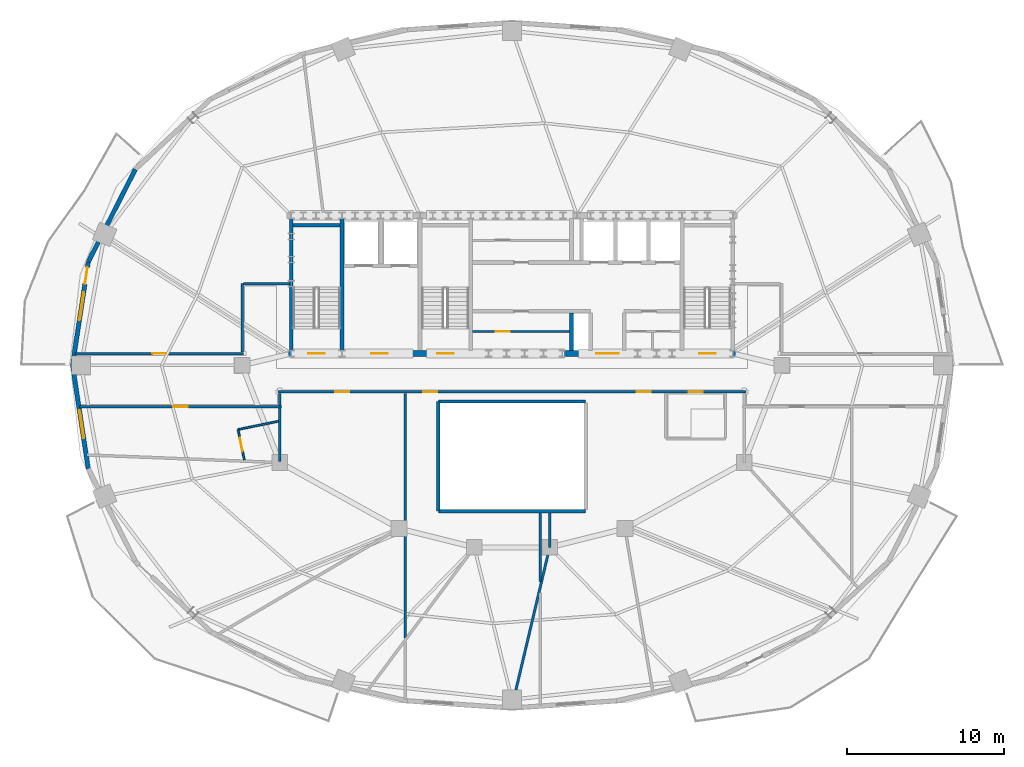
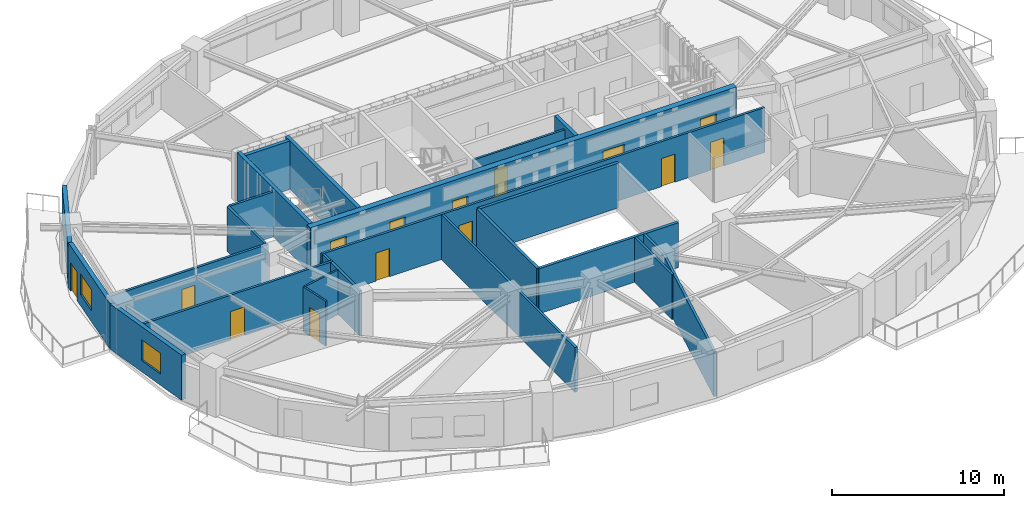
# One storey, part 4 of 11: 25 walls, 14 doors, 2 windows, 16 openings.
"""IFC4 building model written with IfcOpenShell, lengths in metres."""

import ifcopenshell
import ifcopenshell.guid

model = None  # the IFC model being written
_history = None  # IfcOwnerHistory: only IFC2X3 demands one
_inside = {}  # id of a spatial element -> (the spatial element, [elements in it])
_under = {}  # id of a project, library or spatial element -> (it, [spatial elements below it])
_declared = {}  # id of a project -> (the project, [libraries it declares])
_typed = {}  # id of a type object -> (the type object, [elements of that type])
_made_of = {}  # id of a material, layer set ... -> (it, [elements and type objects made of it])


def new_model(schema):
    """Start an empty IFC model of exactly this schema.

    Asked for "IFC4X3", IfcOpenShell would pick the latest addendum, in which some entities
    have other attributes; the version numbers below select the first issue.
    IFC2X3 requires an IfcOwnerHistory on every rooted entity: one is made here for all.
    """
    global model, _history
    if schema == "IFC4X3":
        model = ifcopenshell.file(schema_version=(4, 3, 0, 0))
    else:
        model = ifcopenshell.file(schema=schema)
    _inside.clear()
    _under.clear()
    _declared.clear()
    _typed.clear()
    _made_of.clear()
    _history = None
    if model.schema == "IFC2X3":
        org = make("IfcOrganization", Name="unknown")
        user = make(
            "IfcPersonAndOrganization",
            ThePerson=make("IfcPerson", FamilyName="unknown"),
            TheOrganization=org,
        )
        app = make(
            "IfcApplication",
            ApplicationDeveloper=org,
            Version="unknown",
            ApplicationFullName="unknown",
            ApplicationIdentifier="unknown",
        )
        _history = make(
            "IfcOwnerHistory",
            OwningUser=user,
            OwningApplication=app,
            ChangeAction="ADDED",
            CreationDate=0,
        )
    return model


def make(cls, **values):
    """One entity of the class cls with the attributes given. An attribute that is None is left unset."""
    return model.create_entity(
        cls, **{name: value for name, value in values.items() if value is not None}
    )


def rooted(cls, **values):
    """An entity with a GlobalId (a new one), such as an element, a storey or a relation."""
    return make(cls, GlobalId=ifcopenshell.guid.new(), OwnerHistory=_history, **values)


def si_unit(unit_type, name, prefix=None):
    """IfcSIUnit, for example si_unit("LENGTHUNIT", "METRE", prefix="MILLI")."""
    return make("IfcSIUnit", UnitType=unit_type, Prefix=prefix, Name=name)


def assignment(units):
    """IfcUnitAssignment: the units of a project."""
    return None if units is None else make("IfcUnitAssignment", Units=units)


def point(xyz):
    """IfcCartesianPoint."""
    return None if xyz is None else make("IfcCartesianPoint", Coordinates=xyz)


def direction(xyz):
    """IfcDirection."""
    return None if xyz is None else make("IfcDirection", DirectionRatios=xyz)


def frame(location, z_axis=None, x_axis=None):
    """IfcAxis2Placement3D, a coordinate frame: its origin and axes. An axis left out is left unset."""
    return make(
        "IfcAxis2Placement3D",
        Location=point(location),
        Axis=direction(z_axis),
        RefDirection=direction(x_axis),
    )


def frame_2d(location, x_axis=None):
    """IfcAxis2Placement2D, a coordinate frame in the plane: its origin and x axis."""
    return make(
        "IfcAxis2Placement2D", Location=point(location), RefDirection=direction(x_axis)
    )


def origin():
    """The frame at (0, 0, 0) with its axes left unset."""
    return frame((0.0, 0.0, 0.0))


def place(relative_to, where):
    """IfcLocalPlacement: puts the frame where relative to a parent placement (None: the world)."""
    return make(
        "IfcLocalPlacement", PlacementRelTo=relative_to, RelativePlacement=where
    )


def context(
    kind, dimensions, precision=None, world=None, true_north=None, identifier=None
):
    """IfcGeometricRepresentationContext, for example the 3D "Model" context."""
    return make(
        "IfcGeometricRepresentationContext",
        ContextIdentifier=identifier,
        ContextType=kind,
        CoordinateSpaceDimension=dimensions,
        Precision=precision,
        WorldCoordinateSystem=world,
        TrueNorth=true_north,
    )


def subcontext(parent, identifier, kind, view, scale=None):
    """IfcGeometricRepresentationSubContext, for example "Body" below "Model"."""
    return make(
        "IfcGeometricRepresentationSubContext",
        ContextIdentifier=identifier,
        ContextType=kind,
        ParentContext=parent,
        TargetScale=scale,
        TargetView=view,
    )


def project(units=None, contexts=None):
    """IfcProject with its units and contexts."""
    return rooted(
        "IfcProject",
        Name="project",
        RepresentationContexts=contexts,
        UnitsInContext=assignment(units),
    )


def spatial(cls, under=None, at=None, **own):
    """A site, building, storey or space (cls), placed at a placement, below another one or the project."""
    s = rooted(cls, ObjectPlacement=at, **own)
    if under is not None:
        _under.setdefault(under.id(), (under, []))[1].append(s)
    return s


def profile(cls, at=None, kind="AREA", **sizes):
    """A parametric profile (cls). Its sizes go by their IFC names, for example OverallWidth=200.0."""
    return make(cls, ProfileType=kind, Position=at, **sizes)


def rectangle(**sizes):
    """IfcRectangleProfileDef."""
    return profile("IfcRectangleProfileDef", **sizes)


def extrude(swept, where, along, depth):
    """IfcExtrudedAreaSolid: the profile swept, set in the frame where, extruded along a direction by depth."""
    return make(
        "IfcExtrudedAreaSolid",
        SweptArea=swept,
        Position=where,
        ExtrudedDirection=direction(along),
        Depth=depth,
    )


def shape(context_of_items, identifier, shape_type, items):
    """IfcShapeRepresentation: the items that make up one representation, for example the "Body"."""
    return make(
        "IfcShapeRepresentation",
        ContextOfItems=context_of_items,
        RepresentationIdentifier=identifier,
        RepresentationType=shape_type,
        Items=items,
    )


def material(Name=None, Category=None):
    """IfcMaterial."""
    return make("IfcMaterial", Name=Name, Category=Category)


def layer(
    of_material, thickness, ventilated=None, Name=None, Category=None, Priority=None
):
    """IfcMaterialLayer: one layer of a wall or slab, of a material (None: an air gap)."""
    return make(
        "IfcMaterialLayer",
        Material=of_material,
        LayerThickness=thickness,
        IsVentilated=ventilated,
        Name=Name,
        Category=Category,
        Priority=Priority,
    )


def layer_set(layers, Name=None):
    """IfcMaterialLayerSet."""
    return make("IfcMaterialLayerSet", MaterialLayers=layers, LayerSetName=Name)


def made_of(thing, what):
    """Note that an element or type object is made of a material, layer set ...; save() writes the relation."""
    if what is not None:
        _made_of.setdefault(what.id(), (what, []))[1].append(thing)
    return thing


def type_object(cls, material=None, **own):
    """A type object (cls), such as IfcWallType, which elements share."""
    return made_of(rooted(cls, **own), material)


def element(
    cls,
    number,
    at=None,
    inside=None,
    cuts=None,
    type_object=None,
    material=None,
    context=None,
    identifier="Body",
    shape_type=None,
    held_by="IfcProductDefinitionShape",
    body=None,
    shapes=None,
    **own,
):
    """One element of the class cls, such as IfcWall. Its Tag is "e" and its number.

    at: its placement. inside: the storey or other place that contains it. cuts: it is an
    opening in that element (IfcRelVoidsElement). A single representation is given by context,
    identifier, shape_type and body (its items); several are given by shapes. held_by: the class
    of the entity that holds the representations. save() writes the other relations.
    """
    e = rooted(cls, Tag="e%d" % number, ObjectPlacement=at, **own)
    if body is not None:
        shapes = [shape(context, identifier, shape_type, body)]
    if shapes is not None:
        e.Representation = make(held_by, Representations=shapes)
    if inside is not None:
        _inside.setdefault(inside.id(), (inside, []))[1].append(e)
    if cuts is not None:
        rooted(
            "IfcRelVoidsElement", RelatingBuildingElement=cuts, RelatedOpeningElement=e
        )
    if type_object is not None:
        _typed.setdefault(type_object.id(), (type_object, []))[1].append(e)
    return made_of(e, material)


def fill(opening, filler):
    """IfcRelFillsElement: the door or window that sits in an opening."""
    return rooted(
        "IfcRelFillsElement",
        RelatingOpeningElement=opening,
        RelatedBuildingElement=filler,
    )


def aggregate(whole, parts):
    """IfcRelAggregates: a whole, such as a stair, and the parts it consists of."""
    return rooted("IfcRelAggregates", RelatingObject=whole, RelatedObjects=parts)


def save(model, path):
    """Write the relations noted so far, then the file.

    IfcRelAggregates (storeys below a building ...), IfcRelContainedInSpatialStructure (elements
    in a storey), IfcRelDefinesByType, IfcRelAssociatesMaterial and IfcRelDeclares: one each for
    every whole, place, type object, material and project.
    """
    for whole, parts in _under.values():
        aggregate(whole, parts)
    for where, things in _inside.values():
        rooted(
            "IfcRelContainedInSpatialStructure",
            RelatedElements=things,
            RelatingStructure=where,
        )
    for kind, things in _typed.values():
        rooted("IfcRelDefinesByType", RelatedObjects=things, RelatingType=kind)
    for what, things in _made_of.values():
        rooted("IfcRelAssociatesMaterial", RelatedObjects=things, RelatingMaterial=what)
    for by, libraries in _declared.values():
        rooted("IfcRelDeclares", RelatingContext=by, RelatedDefinitions=libraries)
    model.write(path)


model = new_model("IFC4")

# Units and contexts
model_context = context("Model", 3, precision=1e-05, world=origin(), true_north=direction((0.0, 1.0)))
body_context = subcontext(model_context, "Body", "Model", "MODEL_VIEW")
ifc_project = project(units=[si_unit("LENGTHUNIT", "METRE"), si_unit("AREAUNIT", "SQUARE_METRE"), si_unit("VOLUMEUNIT", "CUBIC_METRE"), si_unit("PLANEANGLEUNIT", "RADIAN"), si_unit("MASSUNIT", "GRAM", prefix="KILO")], contexts=[model_context])

# Site, building, storey
site_placement = place(None, origin())
site = spatial("IfcSite", under=ifc_project, at=site_placement, CompositionType="ELEMENT")
building_placement = place(site_placement, origin())
building = spatial("IfcBuilding", under=site, at=building_placement, Name="Haldorwick Loom Tower", CompositionType="ELEMENT")
storey_placement = place(building_placement, frame((0.0, 0.0, 211.75)))
storey = spatial("IfcBuildingStorey", under=building, at=storey_placement, Name="L57", CompositionType="ELEMENT", Elevation=211.75)

# Wall
ifc_material_1 = material(Name="Pressed Clay Face Brick and Insulated Masonry Backup Assembly", Category="masonry")
ifc_layer_1 = layer(ifc_material_1, 0.280029296875, Name="Pressed Clay Face Brick and Insulated Masonry Backup Assembly", Category="masonry")
ifc_layer_set_1 = layer_set([ifc_layer_1], Name="Pressed Clay Face Brick and Insulated Masonry Backup Assembly")
wall_type_1 = type_object("IfcWallType", Name="ARC-WL-EXT280", PredefinedType="STANDARD", material=ifc_layer_set_1)
wall_1_placement = place(storey_placement, frame((11.994384765625, 38.4853515625, 0.0), z_axis=(0.0, 0.0, 1.0), x_axis=(-0.453032066879, -0.89149422117, 0.0)))
element("IfcWall", 1, at=wall_1_placement, inside=storey, type_object=wall_type_1, Name="L57 Brick Pier and Spandrel Wall 11", PredefinedType="STANDARD", context=body_context, shape_type="SweptSolid", body=[
    extrude(rectangle(XDim=6.618896484375, YDim=0.280029296875, at=frame_2d((3.3095703125, 0.0))), origin(), (0.0, 0.0, 1.0), 2.64111328125),
])

# Wall, openings, door, window
wall_2_placement = place(storey_placement, frame((8.995849609375, 32.584716796875, 0.0), z_axis=(0.0, 0.0, 1.0), x_axis=(-0.150467697578, -0.988614926038, 0.0)))
wall_2 = element("IfcWall", 2, at=wall_2_placement, inside=storey, type_object=wall_type_1, Name="L57 Brick Pier and Spandrel Wall 12", PredefinedType="STANDARD", context=body_context, shape_type="SweptSolid", body=[
    extrude(rectangle(XDim=6.66064453125, YDim=0.280029296875, at=frame_2d((3.330322265625, 0.0))), origin(), (0.0, 0.0, 1.0), 3.2099609375),
])
opening_1_placement = place(wall_2_placement, frame((0.340087890625, 0.0, 0.0)))
opening_1 = element("IfcOpeningElement", 3, at=opening_1_placement, cuts=wall_2, Name="Opening D-BL11", PredefinedType="OPENING", context=body_context, shape_type="SweptSolid", body=[
    extrude(rectangle(XDim=1.080078125, YDim=2.0400390625, at=frame_2d((0.5400390625, 1.02001953125))), frame((0.0, 0.14990234375, 0.0), z_axis=(0.0, -1.0, 0.0), x_axis=(1.0, 0.0, 0.0)), (0.0, 0.0, 1.0), 0.300048828125),
])
opening_2_placement = place(wall_2_placement, frame((1.952392578125, 0.0, 0.800048828125)))
opening_2 = element("IfcOpeningElement", 4, at=opening_2_placement, cuts=wall_2, Name="Opening W-01", PredefinedType="OPENING", context=body_context, shape_type="SweptSolid", body=[
    extrude(rectangle(XDim=1.800048828125, YDim=1.47998046875, at=frame_2d((0.89990234375, 0.739990234375))), frame((0.0, 0.14990234375, 0.0), z_axis=(0.0, -1.0, 0.0), x_axis=(1.0, 0.0, 0.0)), (0.0, 0.0, 1.0), 0.300048828125),
])
ifc_material_2 = material(Name="Thermally Broken Anodized Aluminium Curtain Wall Framing", Category="aluminium")
door_type_1 = type_object("IfcDoorType", Name="ARC-DR-BAL110", OperationType="NOTDEFINED", PredefinedType="DOOR", material=ifc_material_2)
door_1_placement = place(opening_1_placement, origin())
door_1 = element("IfcDoor", 5, at=door_1_placement, inside=storey, type_object=door_type_1, Name="L57 Outdoor Terrace Door SLB-L57-BAL_WNW", OperationType="SINGLE_SWING_RIGHT", OverallHeight=2.0400390625, OverallWidth=1.080078125, PredefinedType="DOOR", context=body_context, shape_type="SweptSolid", body=[
    extrude(rectangle(XDim=1.080078125, YDim=2.0400390625, at=frame_2d((0.5400390625, 1.02001953125))), frame((0.0, 0.02490234375, 0.0), z_axis=(0.0, -1.0, 0.0), x_axis=(1.0, 0.0, 0.0)), (0.0, 0.0, 1.0), 0.050048828125),
])
fill(opening_1, door_1)
ifc_material_3 = material(Name="Triple-Glazed Low-E Argon Insulated Glazing Unit", Category="glass")
window_type = type_object("IfcWindowType", Name="ARC-WIN-W180", PartitioningType="SINGLE_PANEL", PredefinedType="WINDOW", material=ifc_material_3)
window_1_placement = place(opening_2_placement, origin())
window_1 = element("IfcWindow", 6, at=window_1_placement, inside=storey, type_object=window_type, Name="L57 Deep-Set Zone 7A Window 12", OverallHeight=1.47998046875, OverallWidth=1.800048828125, PartitioningType="SINGLE_PANEL", PredefinedType="WINDOW", context=body_context, shape_type="SweptSolid", body=[
    extrude(rectangle(XDim=1.800048828125, YDim=1.47998046875, at=frame_2d((0.89990234375, 0.739990234375))), frame((0.0, 0.030029296875, 0.0), z_axis=(0.0, -1.0, 0.0), x_axis=(1.0, 0.0, 0.0)), (0.0, 0.0, 1.0), 0.06005859375),
])
fill(opening_2, window_1)

# Wall, opening, window
wall_3_placement = place(storey_placement, frame((7.99365234375, 26.0, 0.0), z_axis=(0.0, 0.0, 1.0), x_axis=(0.150467697578, -0.988614926038, 0.0)))
wall_3 = element("IfcWall", 7, at=wall_3_placement, inside=storey, type_object=wall_type_1, Name="L57 Brick Pier and Spandrel Wall 13", PredefinedType="STANDARD", context=body_context, shape_type="SweptSolid", body=[
    extrude(rectangle(XDim=6.66064453125, YDim=0.280029296875, at=frame_2d((3.330322265625, 0.0))), origin(), (0.0, 0.0, 1.0), 3.2099609375),
])
opening_3_placement = place(wall_3_placement, frame((2.907958984375, 0.0, 0.800048828125)))
opening_3 = element("IfcOpeningElement", 8, at=opening_3_placement, cuts=wall_3, Name="Opening W-01", PredefinedType="OPENING", context=body_context, shape_type="SweptSolid", body=[
    extrude(rectangle(XDim=1.800048828125, YDim=1.47998046875, at=frame_2d((0.89990234375, 0.739990234375))), frame((0.0, 0.14990234375, 0.0), z_axis=(0.0, -1.0, 0.0), x_axis=(1.0, 0.0, 0.0)), (0.0, 0.0, 1.0), 0.300048828125),
])
window_2_placement = place(opening_3_placement, origin())
window_2 = element("IfcWindow", 9, at=window_2_placement, inside=storey, type_object=window_type, Name="L57 Deep-Set Zone 7A Window 13", OverallHeight=1.47998046875, OverallWidth=1.800048828125, PartitioningType="SINGLE_PANEL", PredefinedType="WINDOW", context=body_context, shape_type="SweptSolid", body=[
    extrude(rectangle(XDim=1.800048828125, YDim=1.47998046875, at=frame_2d((0.89990234375, 0.739990234375))), frame((0.0, 0.030029296875, 0.0), z_axis=(0.0, -1.0, 0.0), x_axis=(1.0, 0.0, 0.0)), (0.0, 0.0, 1.0), 0.06005859375),
])
fill(opening_3, window_2)

# Wall, openings, doors
ifc_material_4 = material(Name="Fire-Rated Type X Gypsum Stud Assembly EI 60")
ifc_layer_2 = layer(ifc_material_4, 0.159912109375, Name="Fire-Rated Type X Gypsum Stud Assembly EI 60")
ifc_layer_set_2 = layer_set([ifc_layer_2], Name="Fire-Rated Type X Gypsum Stud Assembly EI 60")
wall_type_2 = type_object("IfcWallType", Name="ARC-WL-FIRE160", PredefinedType="PARTITIONING", material=ifc_layer_set_2)
wall_4_placement = place(storey_placement, frame((21.10009765625, 24.300048828125, 0.0), z_axis=(0.0, 0.0, 1.0), x_axis=(1.0, 0.0, 0.0)))
wall_4 = element("IfcWall", 10, at=wall_4_placement, inside=storey, type_object=wall_type_2, Name="L57 Residential Fire Partition L57-CR-SP", PredefinedType="PARTITIONING", context=body_context, shape_type="SweptSolid", body=[
    extrude(rectangle(XDim=29.7998046875, YDim=0.159912109375, at=frame_2d((14.89990234375, 0.0))), origin(), (0.0, 0.0, 1.0), 3.195068359375),
])
opening_4_placement = place(wall_4_placement, frame((22.838134765625, 0.0, 0.0)))
opening_4 = element("IfcOpeningElement", 11, at=opening_4_placement, cuts=wall_4, Name="Opening D-FD60A", PredefinedType="OPENING", context=body_context, shape_type="SweptSolid", body=[
    extrude(rectangle(XDim=0.89990234375, YDim=2.0, at=frame_2d((0.449951171875, 1.0))), frame((0.0, 0.08984375, 0.0), z_axis=(0.0, -1.0, 0.0), x_axis=(1.0, 0.0, 0.0)), (0.0, 0.0, 1.0), 0.179931640625),
])
opening_5_placement = place(wall_4_placement, frame((9.22900390625, 0.0, 0.0)))
opening_5 = element("IfcOpeningElement", 12, at=opening_5_placement, cuts=wall_4, Name="Opening D-FD60A", PredefinedType="OPENING", context=body_context, shape_type="SweptSolid", body=[
    extrude(rectangle(XDim=0.89990234375, YDim=2.0, at=frame_2d((0.449951171875, 1.0))), frame((0.0, 0.08984375, 0.0), z_axis=(0.0, -1.0, 0.0), x_axis=(1.0, 0.0, 0.0)), (0.0, 0.0, 1.0), 0.179931640625),
])
opening_6_placement = place(wall_4_placement, frame((3.6337890625, 0.0, 0.0)))
opening_6 = element("IfcOpeningElement", 13, at=opening_6_placement, cuts=wall_4, Name="Opening D-FD60A", PredefinedType="OPENING", context=body_context, shape_type="SweptSolid", body=[
    extrude(rectangle(XDim=0.89990234375, YDim=2.0, at=frame_2d((0.449951171875, 1.0))), frame((0.0, 0.08984375, 0.0), z_axis=(0.0, -1.0, 0.0), x_axis=(1.0, 0.0, 0.0)), (0.0, 0.0, 1.0), 0.179931640625),
])
opening_7_placement = place(wall_4_placement, frame((26.1494140625, 0.0, 0.0)))
opening_7 = element("IfcOpeningElement", 14, at=opening_7_placement, cuts=wall_4, Name="Opening D-FD60A", PredefinedType="OPENING", context=body_context, shape_type="SweptSolid", body=[
    extrude(rectangle(XDim=0.89990234375, YDim=2.0, at=frame_2d((0.449951171875, 1.0))), frame((0.0, 0.08984375, 0.0), z_axis=(0.0, -1.0, 0.0), x_axis=(1.0, 0.0, 0.0)), (0.0, 0.0, 1.0), 0.179931640625),
])
ifc_material_5 = material(Name="Hollow Steel Fire Door Assembly", Category="steel")
door_type_2 = type_object("IfcDoorType", Name="ARC-DR-FD60-90", OperationType="NOTDEFINED", PredefinedType="DOOR", material=ifc_material_5)
door_2_placement = place(opening_4_placement, origin())
door_2 = element("IfcDoor", 15, at=door_2_placement, inside=storey, type_object=door_type_2, Name="L57 L57 Central Residential Corridor to Co-Working Open Office 2 Door", OperationType="SINGLE_SWING_LEFT", OverallHeight=2.0, OverallWidth=0.89990234375, PredefinedType="DOOR", context=body_context, shape_type="SweptSolid", body=[
    extrude(rectangle(XDim=0.89990234375, YDim=2.0, at=frame_2d((0.449951171875, 1.0))), frame((0.0, 0.02490234375, 0.0), z_axis=(0.0, -1.0, 0.0), x_axis=(1.0, 0.0, 0.0)), (0.0, 0.0, 1.0), 0.050048828125),
])
fill(opening_4, door_2)
door_3_placement = place(opening_5_placement, origin())
door_3 = element("IfcDoor", 16, at=door_3_placement, inside=storey, type_object=door_type_2, Name="L57 L57 Central Residential Corridor to Co-Working Open Office 1 Door", OperationType="SINGLE_SWING_LEFT", OverallHeight=2.0, OverallWidth=0.89990234375, PredefinedType="DOOR", context=body_context, shape_type="SweptSolid", body=[
    extrude(rectangle(XDim=0.89990234375, YDim=2.0, at=frame_2d((0.449951171875, 1.0))), frame((0.0, 0.02490234375, 0.0), z_axis=(0.0, -1.0, 0.0), x_axis=(1.0, 0.0, 0.0)), (0.0, 0.0, 1.0), 0.050048828125),
])
fill(opening_5, door_3)
door_4_placement = place(opening_6_placement, origin())
door_4 = element("IfcDoor", 17, at=door_4_placement, inside=storey, type_object=door_type_2, Name="L57 L57 Central Residential Corridor to Co-Working Open Office 3 Door", OperationType="SINGLE_SWING_RIGHT", OverallHeight=2.0, OverallWidth=0.89990234375, PredefinedType="DOOR", context=body_context, shape_type="SweptSolid", body=[
    extrude(rectangle(XDim=0.89990234375, YDim=2.0, at=frame_2d((0.449951171875, 1.0))), frame((0.0, 0.02490234375, 0.0), z_axis=(0.0, -1.0, 0.0), x_axis=(1.0, 0.0, 0.0)), (0.0, 0.0, 1.0), 0.050048828125),
])
fill(opening_6, door_4)
door_5_placement = place(opening_7_placement, origin())
door_5 = element("IfcDoor", 18, at=door_5_placement, inside=storey, type_object=door_type_2, Name="L57 L57 Central Residential Corridor to Common Accessible WC Door", OperationType="SINGLE_SWING_LEFT", OverallHeight=2.0, OverallWidth=0.89990234375, PredefinedType="DOOR", context=body_context, shape_type="SweptSolid", body=[
    extrude(rectangle(XDim=0.89990234375, YDim=2.0, at=frame_2d((0.449951171875, 1.0))), frame((0.0, 0.02490234375, 0.0), z_axis=(0.0, -1.0, 0.0), x_axis=(1.0, 0.0, 0.0)), (0.0, 0.0, 1.0), 0.050048828125),
])
fill(opening_7, door_5)

# Wall, opening, door
wall_5_placement = place(storey_placement, frame((8.4423828125, 23.35009765625, 0.0), z_axis=(0.0, 0.0, 1.0), x_axis=(1.0, 0.0, 0.0)))
wall_5 = element("IfcWall", 19, at=wall_5_placement, inside=storey, type_object=wall_type_2, Name="L57 Residential Fire Partition L57-CR-SPW", PredefinedType="PARTITIONING", context=body_context, shape_type="SweptSolid", body=[
    extrude(rectangle(XDim=12.857666015625, YDim=0.159912109375, at=frame_2d((6.4287109375, 0.0))), origin(), (0.0, 0.0, 1.0), 3.195068359375),
])
opening_8_placement = place(wall_5_placement, frame((5.95361328125, 0.0, 0.0)))
opening_8 = element("IfcOpeningElement", 20, at=opening_8_placement, cuts=wall_5, Name="Opening D-FL95", PredefinedType="OPENING", context=body_context, shape_type="SweptSolid", body=[
    extrude(rectangle(XDim=0.949951171875, YDim=2.0400390625, at=frame_2d((0.47509765625, 1.02001953125))), frame((0.0, 0.08984375, 0.0), z_axis=(0.0, -1.0, 0.0), x_axis=(1.0, 0.0, 0.0)), (0.0, 0.0, 1.0), 0.179931640625),
])
ifc_material_6 = material(Name="Solid Core Birch Architectural Door")
door_type_3 = type_object("IfcDoorType", Name="ARC-DR-FLAT95", OperationType="NOTDEFINED", PredefinedType="DOOR", material=ifc_material_6)
door_6_placement = place(opening_8_placement, origin())
door_6 = element("IfcDoor", 21, at=door_6_placement, inside=storey, type_object=door_type_3, Name="L57 L57 Central Residential Corridor to Unit 57B Kitchen and Studio Livi", OperationType="SINGLE_SWING_RIGHT", OverallHeight=2.0400390625, OverallWidth=0.949951171875, PredefinedType="DOOR", context=body_context, shape_type="SweptSolid", body=[
    extrude(rectangle(XDim=0.949951171875, YDim=2.0400390625, at=frame_2d((0.47509765625, 1.02001953125))), frame((0.0, 0.02490234375, 0.0), z_axis=(0.0, -1.0, 0.0), x_axis=(1.0, 0.0, 0.0)), (0.0, 0.0, 1.0), 0.050048828125),
])
fill(opening_8, door_6)

# Wall
wall_6_placement = place(storey_placement, frame((21.199951171875, 23.43310546875, 0.0), z_axis=(0.0, 0.0, 1.0), x_axis=(0.0, 1.0, 0.0)))
element("IfcWall", 22, at=wall_6_placement, inside=storey, type_object=wall_type_2, Name="L57 Residential Fire Partition L57-CR-STW", PredefinedType="PARTITIONING", context=body_context, shape_type="SweptSolid", body=[
    extrude(rectangle(XDim=0.783935546875, YDim=0.159912109375, at=frame_2d((0.39208984375, 0.0))), origin(), (0.0, 0.0, 1.0), 3.195068359375),
])

# Wall, opening, door
wall_7_placement = place(storey_placement, frame((8.1533203125, 26.75, 0.0), z_axis=(0.0, 0.0, 1.0), x_axis=(1.0, 0.0, 0.0)))
wall_7 = element("IfcWall", 23, at=wall_7_placement, inside=storey, type_object=wall_type_2, Name="L57 Residential Fire Partition L57-CR-NWL", PredefinedType="PARTITIONING", context=body_context, shape_type="SweptSolid", body=[
    extrude(rectangle(XDim=10.74658203125, YDim=0.159912109375, at=frame_2d((5.373291015625, 0.0))), origin(), (0.0, 0.0, 1.0), 3.195068359375),
])
opening_9_placement = place(wall_7_placement, frame((4.92333984375, 0.0, 0.0)))
opening_9 = element("IfcOpeningElement", 24, at=opening_9_placement, cuts=wall_7, Name="Opening D-FD60A", PredefinedType="OPENING", context=body_context, shape_type="SweptSolid", body=[
    extrude(rectangle(XDim=0.89990234375, YDim=2.0, at=frame_2d((0.449951171875, 1.0))), frame((0.0, 0.08984375, 0.0), z_axis=(0.0, -1.0, 0.0), x_axis=(1.0, 0.0, 0.0)), (0.0, 0.0, 1.0), 0.179931640625),
])
door_7_placement = place(opening_9_placement, frame((0.89990234375, 0.0, 0.0), z_axis=(0.0, 0.0, 1.0), x_axis=(-1.0, 0.0, 0.0)))
door_7 = element("IfcDoor", 25, at=door_7_placement, inside=storey, type_object=door_type_2, Name="L57 Co-Working Open Office 7 to L57 Central Residential Corridor Door", OperationType="SINGLE_SWING_LEFT", OverallHeight=2.0, OverallWidth=0.89990234375, PredefinedType="DOOR", context=body_context, shape_type="SweptSolid", body=[
    extrude(rectangle(XDim=0.89990234375, YDim=2.0, at=frame_2d((0.449951171875, 1.0))), frame((0.0, 0.02490234375, 0.0), z_axis=(0.0, -1.0, 0.0), x_axis=(1.0, 0.0, 0.0)), (0.0, 0.0, 1.0), 0.050048828125),
])
fill(opening_9, door_7)

# Walls
wall_8_placement = place(storey_placement, frame((18.800048828125, 26.8330078125, 0.0), z_axis=(0.0, 0.0, 1.0), x_axis=(0.0, 1.0, 0.0)))
element("IfcWall", 26, at=wall_8_placement, inside=storey, type_object=wall_type_2, Name="L57 Residential Fire Partition L57-CR-W0", PredefinedType="PARTITIONING", context=body_context, shape_type="SweptSolid", body=[
    extrude(rectangle(XDim=4.366943359375, YDim=0.159912109375, at=frame_2d((2.18359375, 0.0))), origin(), (0.0, 0.0, 1.0), 3.195068359375),
])
wall_9_placement = place(storey_placement, frame((18.883056640625, 31.199951171875, 0.0), z_axis=(0.0, 0.0, 1.0), x_axis=(1.0, 0.0, 0.0)))
element("IfcWall", 27, at=wall_9_placement, inside=storey, type_object=wall_type_2, Name="L57 Residential Fire Partition L57-CR-WNJ", PredefinedType="PARTITIONING", context=body_context, shape_type="SweptSolid", body=[
    extrude(rectangle(XDim=2.923828125, YDim=0.159912109375, at=frame_2d((1.4619140625, 0.0))), origin(), (0.0, 0.0, 1.0), 3.195068359375),
])
wall_10_placement = place(storey_placement, frame((38.39990234375, 14.39990234375, 0.0), z_axis=(0.0, 0.0, 1.0), x_axis=(-0.230222003239, -0.973138134709, 0.0)))
element("IfcWall", 28, at=wall_10_placement, inside=storey, type_object=wall_type_2, Name="L57 Residential Fire Partition L57-ICR-06", PredefinedType="PARTITIONING", context=body_context, shape_type="SweptSolid", body=[
    extrude(rectangle(XDim=10.48046875, YDim=0.159912109375, at=frame_2d((5.240234375, 0.0))), origin(), (0.0, 0.0, 1.0), 3.195068359375),
])
wall_11_placement = place(storey_placement, frame((29.199951171875, 8.633544921875, 0.0), z_axis=(0.0, 0.0, 1.0), x_axis=(0.0, 1.0, 0.0)))
element("IfcWall", 29, at=wall_11_placement, inside=storey, type_object=wall_type_2, Name="L57 Residential Fire Partition L57-SBP-0", PredefinedType="PARTITIONING", context=body_context, shape_type="SweptSolid", body=[
    extrude(rectangle(XDim=15.58349609375, YDim=0.159912109375, at=frame_2d((7.791748046875, 0.0))), origin(), (0.0, 0.0, 1.0), 3.195068359375),
])
wall_12_placement = place(storey_placement, frame((37.800048828125, 12.224365234375, 0.0), z_axis=(0.0, 0.0, 1.0), x_axis=(0.0, 1.0, 0.0)))
element("IfcWall", 30, at=wall_12_placement, inside=storey, type_object=wall_type_2, Name="L57 Residential Fire Partition L57-SBP-1", PredefinedType="PARTITIONING", context=body_context, shape_type="SweptSolid", body=[
    extrude(rectangle(XDim=4.37255859375, YDim=0.159912109375, at=frame_2d((2.186279296875, 0.0))), origin(), (0.0, 0.0, 1.0), 3.195068359375),
])
wall_13_placement = place(storey_placement, frame((38.39990234375, 16.596923828125, 0.0), z_axis=(0.0, 0.0, 1.0), x_axis=(0.0, -1.0, 0.0)))
element("IfcWall", 31, at=wall_13_placement, inside=storey, type_object=wall_type_2, Name="L57 Residential Fire Partition L57-ICA-05", PredefinedType="PARTITIONING", context=body_context, shape_type="SweptSolid", body=[
    extrude(rectangle(XDim=2.197021484375, YDim=0.159912109375, at=frame_2d((1.0986328125, 0.0))), origin(), (0.0, 0.0, 1.0), 3.195068359375),
])
wall_14_placement = place(storey_placement, frame((21.199951171875, 23.26708984375, 0.0), z_axis=(0.0, 0.0, 1.0), x_axis=(0.0, -1.0, 0.0)))
element("IfcWall", 32, at=wall_14_placement, inside=storey, type_object=wall_type_2, Name="L57 Residential Fire Partition L57-ICA-11", PredefinedType="PARTITIONING", context=body_context, shape_type="SweptSolid", body=[
    extrude(rectangle(XDim=3.384033203125, YDim=0.159912109375, at=frame_2d((1.69189453125, 0.0))), origin(), (0.0, 0.0, 1.0), 3.195068359375),
])
ifc_material_7 = material(Name="Fire-Rated Type X Gypsum Stud Assembly EI 120")
ifc_layer_3 = layer(ifc_material_7, 0.199951171875, Name="Fire-Rated Type X Gypsum Stud Assembly EI 120")
ifc_layer_set_3 = layer_set([ifc_layer_3], Name="Fire-Rated Type X Gypsum Stud Assembly EI 120")
wall_type_3 = type_object("IfcWallType", Name="ARC-WL-FIRE200", PredefinedType="PARTITIONING", material=ifc_layer_set_3)
for number, where, z_axis, x_axis, name in (
    (33, (31.300048828125, 23.699951171875, 0.0), (0.0, 0.0, 1.0), (1.0, 0.0, 0.0), "L57 Atrium Fire Enclosure Wall N"),
    (34, (40.699951171875, 16.699951171875, 0.0), (0.0, 0.0, 1.0), (-1.0, 0.0, 0.0), "L57 Atrium Fire Enclosure Wall S"),
):
    element("IfcWall", number, at=place(storey_placement, frame(where, z_axis=z_axis, x_axis=x_axis)), inside=storey, type_object=wall_type_3, Name=name, PredefinedType="PARTITIONING", context=body_context, shape_type="SweptSolid", body=[
        extrude(rectangle(XDim=9.39990234375, YDim=0.199951171875, at=frame_2d((4.699951171875, 0.0))), origin(), (0.0, 0.0, 1.0), 3.195068359375),
    ])
wall_15_placement = place(storey_placement, frame((31.300048828125, 16.699951171875, 0.0), z_axis=(0.0, 0.0, 1.0), x_axis=(0.0, 1.0, 0.0)))
element("IfcWall", 35, at=wall_15_placement, inside=storey, type_object=wall_type_3, Name="L57 Atrium Fire Enclosure Wall W", PredefinedType="PARTITIONING", context=body_context, shape_type="SweptSolid", body=[
    extrude(rectangle(XDim=7.0, YDim=0.199951171875, at=frame_2d((3.5, 0.0))), origin(), (0.0, 0.0, 1.0), 3.195068359375),
])

# Wall, opening, door
ifc_material_8 = material(Name="Acoustic Gypsum Stud Assembly STC 55")
ifc_layer_4 = layer(ifc_material_8, 0.1201171875, Name="Acoustic Gypsum Stud Assembly STC 55")
ifc_layer_set_4 = layer_set([ifc_layer_4], Name="Acoustic Gypsum Stud Assembly STC 55")
wall_type_4 = type_object("IfcWallType", Name="ARC-WL-PART120", PredefinedType="PARTITIONING", material=ifc_layer_set_4)
wall_16_placement = place(storey_placement, frame((18.544677734375, 21.9052734375, 0.0), z_axis=(0.0, 0.0, 1.0), x_axis=(0.201205987491, -0.97954895263, 0.0)))
wall_16 = element("IfcWall", 36, at=wall_16_placement, inside=storey, type_object=wall_type_4, Name="L57 Unit 57B Interior Partition", PredefinedType="PARTITIONING", context=body_context, shape_type="SweptSolid", body=[
    extrude(rectangle(XDim=1.972900390625, YDim=0.1201171875, at=frame_2d((0.986328125, 0.0))), origin(), (0.0, 0.0, 1.0), 3.195068359375),
])
opening_10_placement = place(wall_16_placement, frame((0.54638671875, 0.0, 0.0)))
opening_10 = element("IfcOpeningElement", 37, at=opening_10_placement, cuts=wall_16, Name="Opening D-BT88", PredefinedType="OPENING", context=body_context, shape_type="SweptSolid", body=[
    extrude(rectangle(XDim=0.8798828125, YDim=2.02001953125, at=frame_2d((0.43994140625, 1.010009765625))), frame((0.0, 0.070068359375, 0.0), z_axis=(0.0, -1.0, 0.0), x_axis=(1.0, 0.0, 0.0)), (0.0, 0.0, 1.0), 0.14013671875),
])
door_type_4 = type_object("IfcDoorType", Name="ARC-DR-BATH88", OperationType="NOTDEFINED", PredefinedType="DOOR", material=ifc_material_6)
door_8_placement = place(opening_10_placement, origin())
door_8 = element("IfcDoor", 38, at=door_8_placement, inside=storey, type_object=door_type_4, Name="L57 Unit 57B Bathroom to Unit 57B Kitchen and Studio Living Room Door", OperationType="SINGLE_SWING_RIGHT", OverallHeight=2.02001953125, OverallWidth=0.8798828125, PredefinedType="DOOR", context=body_context, shape_type="SweptSolid", body=[
    extrude(rectangle(XDim=0.8798828125, YDim=2.02001953125, at=frame_2d((0.43994140625, 1.010009765625))), frame((0.0, 0.02490234375, 0.0), z_axis=(0.0, -1.0, 0.0), x_axis=(1.0, 0.0, 0.0)), (0.0, 0.0, 1.0), 0.050048828125),
])
fill(opening_10, door_8)

# Wall
wall_17_placement = place(storey_placement, frame((21.116943359375, 22.43359375, 0.0), z_axis=(0.0, 0.0, 1.0), x_axis=(-0.979551989532, -0.201191202102, 0.0)))
element("IfcWall", 39, at=wall_17_placement, inside=storey, type_object=wall_type_4, Name="L57 Unit 57B Interior Partition", PredefinedType="PARTITIONING", context=body_context, shape_type="SweptSolid", body=[
    extrude(rectangle(XDim=2.6259765625, YDim=0.1201171875, at=frame_2d((1.31298828125, 0.0))), origin(), (0.0, 0.0, 1.0), 3.195068359375),
])

# Wall, opening, door
ifc_layer_5 = layer(ifc_material_4, 0.139892578125, Name="Fire-Rated Type X Gypsum Stud Assembly EI 60")
ifc_layer_set_5 = layer_set([ifc_layer_5], Name="Fire-Rated Type X Gypsum Stud Assembly EI 60")
wall_type_5 = type_object("IfcWallType", Name="ARC-WL-PART140", PredefinedType="PARTITIONING", material=ifc_layer_set_5)
wall_18_placement = place(storey_placement, frame((33.492919921875, 28.159912109375, 0.0), z_axis=(0.0, 0.0, 1.0), x_axis=(1.0, 0.0, 0.0)))
wall_18 = element("IfcWall", 40, at=wall_18_placement, inside=storey, type_object=wall_type_5, Name="L57 Mid-Bank Horizontal Partition", PredefinedType="PARTITIONING", context=body_context, shape_type="SweptSolid", body=[
    extrude(rectangle(XDim=6.18408203125, YDim=0.139892578125, at=frame_2d((3.092041015625, 0.0))), origin(), (0.0, 0.0, 1.0), 3.195068359375),
])
opening_11_placement = place(wall_18_placement, frame((1.45703125, 0.0, 0.0)))
opening_11 = element("IfcOpeningElement", 41, at=opening_11_placement, cuts=wall_18, Name="Opening D-FD60A", PredefinedType="OPENING", context=body_context, shape_type="SweptSolid", body=[
    extrude(rectangle(XDim=0.89990234375, YDim=2.0, at=frame_2d((0.449951171875, 1.0))), frame((0.0, 0.079833984375, 0.0), z_axis=(0.0, -1.0, 0.0), x_axis=(1.0, 0.0, 0.0)), (0.0, 0.0, 1.0), 0.159912109375),
])
door_9_placement = place(opening_11_placement, origin())
door_9 = element("IfcDoor", 42, at=door_9_placement, inside=storey, type_object=door_type_2, Name="L57 Archive Store Door", OperationType="SINGLE_SWING_RIGHT", OverallHeight=2.0, OverallWidth=0.89990234375, PredefinedType="DOOR", context=body_context, shape_type="SweptSolid", body=[
    extrude(rectangle(XDim=0.89990234375, YDim=2.0, at=frame_2d((0.449951171875, 1.0))), frame((0.0, 0.02490234375, 0.0), z_axis=(0.0, -1.0, 0.0), x_axis=(1.0, 0.0, 0.0)), (0.0, 0.0, 1.0), 0.050048828125),
])
fill(opening_11, door_9)

# Wall, openings, doors
ifc_material_9 = material(Name="Concrete C50 (50 MPa)", Category="concrete")
ifc_layer_6 = layer(ifc_material_9, 0.39990234375, Name="Concrete C50 (50 MPa)", Category="concrete")
ifc_layer_set_6 = layer_set([ifc_layer_6], Name="Concrete C50 (50 MPa)")
wall_type_6 = type_object("IfcWallType", Name="STR-WL-CORE400", PredefinedType="SHEAR", material=ifc_layer_set_6)
wall_19_placement = place(storey_placement, frame((21.64990234375, 26.75, 0.0), z_axis=(0.0, 0.0, 1.0), x_axis=(1.0, 0.0, 0.0)))
wall_19 = element("IfcWall", 43, at=wall_19_placement, inside=storey, type_object=wall_type_6, Name="L57 Core Shear Wall S", PredefinedType="SHEAR", context=body_context, shape_type="SweptSolid", body=[
    extrude(rectangle(XDim=28.7001953125, YDim=0.39990234375, at=frame_2d((14.35009765625, 0.0))), origin(), (0.0, 0.0, 1.0), 3.449951171875),
])
opening_12_placement = place(wall_19_placement, frame((1.375, 0.0, 0.0)))
opening_12 = element("IfcOpeningElement", 44, at=opening_12_placement, cuts=wall_19, Name="Opening D-FD60", PredefinedType="OPENING", context=body_context, shape_type="SweptSolid", body=[
    extrude(rectangle(XDim=1.050048828125, YDim=2.0, at=frame_2d((0.52490234375, 1.0))), frame((0.0, 0.2099609375, 0.0), z_axis=(0.0, -1.0, 0.0), x_axis=(1.0, 0.0, 0.0)), (0.0, 0.0, 1.0), 0.419921875),
])
opening_13_placement = place(wall_19_placement, frame((5.375, 0.0, 0.0)))
opening_13 = element("IfcOpeningElement", 45, at=opening_13_placement, cuts=wall_19, Name="Opening D-FD60", PredefinedType="OPENING", context=body_context, shape_type="SweptSolid", body=[
    extrude(rectangle(XDim=1.050048828125, YDim=2.0, at=frame_2d((0.52490234375, 1.0))), frame((0.0, 0.2099609375, 0.0), z_axis=(0.0, -1.0, 0.0), x_axis=(1.0, 0.0, 0.0)), (0.0, 0.0, 1.0), 0.419921875),
])
opening_14_placement = place(wall_19_placement, frame((9.574951171875, 0.0, 0.0)))
opening_14 = element("IfcOpeningElement", 46, at=opening_14_placement, cuts=wall_19, Name="Opening D-FD60", PredefinedType="OPENING", context=body_context, shape_type="SweptSolid", body=[
    extrude(rectangle(XDim=1.050048828125, YDim=2.0, at=frame_2d((0.52490234375, 1.0))), frame((0.0, 0.2099609375, 0.0), z_axis=(0.0, -1.0, 0.0), x_axis=(1.0, 0.0, 0.0)), (0.0, 0.0, 1.0), 0.419921875),
])
opening_15_placement = place(wall_19_placement, frame((19.705078125, 0.0, 0.0)))
opening_15 = element("IfcOpeningElement", 47, at=opening_15_placement, cuts=wall_19, Name="Opening D-LB15", PredefinedType="OPENING", context=body_context, shape_type="SweptSolid", body=[
    extrude(rectangle(XDim=1.449951171875, YDim=2.0, at=frame_2d((0.72509765625, 1.0))), frame((0.0, 0.2099609375, 0.0), z_axis=(0.0, -1.0, 0.0), x_axis=(1.0, 0.0, 0.0)), (0.0, 0.0, 1.0), 0.419921875),
])
opening_16_placement = place(wall_19_placement, frame((26.27490234375, 0.0, 0.0)))
opening_16 = element("IfcOpeningElement", 48, at=opening_16_placement, cuts=wall_19, Name="Opening D-FD60", PredefinedType="OPENING", context=body_context, shape_type="SweptSolid", body=[
    extrude(rectangle(XDim=1.050048828125, YDim=2.0, at=frame_2d((0.52490234375, 1.0))), frame((0.0, 0.2099609375, 0.0), z_axis=(0.0, -1.0, 0.0), x_axis=(1.0, 0.0, 0.0)), (0.0, 0.0, 1.0), 0.419921875),
])
door_type_5 = type_object("IfcDoorType", Name="ARC-DR-FD60", OperationType="NOTDEFINED", PredefinedType="DOOR", material=ifc_material_5)
door_10_placement = place(opening_12_placement, origin())
door_10 = element("IfcDoor", 49, at=door_10_placement, inside=storey, type_object=door_type_5, Name="L57 Exit Stair ST-01 Fire Door", OperationType="SINGLE_SWING_LEFT", OverallHeight=2.0, OverallWidth=1.050048828125, PredefinedType="DOOR", context=body_context, shape_type="SweptSolid", body=[
    extrude(rectangle(XDim=1.050048828125, YDim=2.0, at=frame_2d((0.52490234375, 1.0))), frame((0.0, 0.02490234375, 0.0), z_axis=(0.0, -1.0, 0.0), x_axis=(1.0, 0.0, 0.0)), (0.0, 0.0, 1.0), 0.050048828125),
])
fill(opening_12, door_10)
door_11_placement = place(opening_13_placement, origin())
door_11 = element("IfcDoor", 50, at=door_11_placement, inside=storey, type_object=door_type_5, Name="L57 Firefighting Lift Lobby Fire Door", OperationType="SINGLE_SWING_RIGHT", OverallHeight=2.0, OverallWidth=1.050048828125, PredefinedType="DOOR", context=body_context, shape_type="SweptSolid", body=[
    extrude(rectangle(XDim=1.050048828125, YDim=2.0, at=frame_2d((0.52490234375, 1.0))), frame((0.0, 0.02490234375, 0.0), z_axis=(0.0, -1.0, 0.0), x_axis=(1.0, 0.0, 0.0)), (0.0, 0.0, 1.0), 0.050048828125),
])
fill(opening_13, door_11)
door_12_placement = place(opening_14_placement, origin())
door_12 = element("IfcDoor", 51, at=door_12_placement, inside=storey, type_object=door_type_5, Name="L57 Exit Stair ST-03 Fire Door", OperationType="SINGLE_SWING_LEFT", OverallHeight=2.0, OverallWidth=1.050048828125, PredefinedType="DOOR", context=body_context, shape_type="SweptSolid", body=[
    extrude(rectangle(XDim=1.050048828125, YDim=2.0, at=frame_2d((0.52490234375, 1.0))), frame((0.0, 0.02490234375, 0.0), z_axis=(0.0, -1.0, 0.0), x_axis=(1.0, 0.0, 0.0)), (0.0, 0.0, 1.0), 0.050048828125),
])
fill(opening_14, door_12)
door_13_placement = place(opening_16_placement, origin())
door_13 = element("IfcDoor", 52, at=door_13_placement, inside=storey, type_object=door_type_5, Name="L57 Exit Stair ST-02 Fire Door", OperationType="SINGLE_SWING_LEFT", OverallHeight=2.0, OverallWidth=1.050048828125, PredefinedType="DOOR", context=body_context, shape_type="SweptSolid", body=[
    extrude(rectangle(XDim=1.050048828125, YDim=2.0, at=frame_2d((0.52490234375, 1.0))), frame((0.0, 0.02490234375, 0.0), z_axis=(0.0, -1.0, 0.0), x_axis=(1.0, 0.0, 0.0)), (0.0, 0.0, 1.0), 0.050048828125),
])
fill(opening_16, door_13)
ifc_material_10 = material(Name="Thermally Broken Anodized Aluminium and Tempered Glass", Category="aluminium")
door_type_6 = type_object("IfcDoorType", Name="ARC-DR-LOB150", OperationType="NOTDEFINED", PredefinedType="DOOR", material=ifc_material_10)
door_14_placement = place(opening_15_placement, frame((1.449951171875, 0.0, 0.0), z_axis=(0.0, 0.0, 1.0), x_axis=(-1.0, 0.0, 0.0)))
door_14 = element("IfcDoor", 53, at=door_14_placement, inside=storey, type_object=door_type_6, Name="L57 Passenger Lift Lobby Fire Door", OperationType="DOUBLE_DOOR_SINGLE_SWING", OverallHeight=2.0, OverallWidth=1.449951171875, PredefinedType="DOOR", context=body_context, shape_type="SweptSolid", body=[
    extrude(rectangle(XDim=1.449951171875, YDim=2.0, at=frame_2d((0.72509765625, 1.0))), frame((0.0, 0.02490234375, 0.0), z_axis=(0.0, -1.0, 0.0), x_axis=(1.0, 0.0, 0.0)), (0.0, 0.0, 1.0), 0.050048828125),
])
fill(opening_15, door_14)

# Walls
ifc_layer_7 = layer(ifc_material_9, 0.239990234375, Name="Concrete C50 (50 MPa)", Category="concrete")
ifc_layer_set_7 = layer_set([ifc_layer_7], Name="Concrete C50 (50 MPa)")
wall_type_7 = type_object("IfcWallType", Name="STR-WL-SHAFT240", PredefinedType="SHEAR", material=ifc_layer_set_7)
for number, where, z_axis, x_axis, name in (
    (54, (21.929931640625, 35.346923828125, 0.0), (0.0, 0.0, 1.0), (0.0, -1.0, 0.0), "L57 Core Shear Wall W"),
    (55, (25.169921875, 26.952880859375, 0.0), (0.0, 0.0, 1.0), (0.0, 1.0, 0.0), "L57 Core Shear Wall 1"),
):
    element("IfcWall", number, at=place(storey_placement, frame(where, z_axis=z_axis, x_axis=x_axis)), inside=storey, type_object=wall_type_7, Name=name, PredefinedType="SHEAR", context=body_context, shape_type="SweptSolid", body=[
        extrude(rectangle(XDim=8.39404296875, YDim=0.239990234375, at=frame_2d((4.197021484375, 0.0))), origin(), (0.0, 0.0, 1.0), 3.449951171875),
    ])
wall_20_placement = place(storey_placement, frame((22.052978515625, 34.919921875, 0.0), z_axis=(0.0, 0.0, 1.0), x_axis=(1.0, 0.0, 0.0)))
element("IfcWall", 56, at=wall_20_placement, inside=storey, type_object=wall_type_7, Name="L57 Core Shear Wall 1N", PredefinedType="SHEAR", context=body_context, shape_type="SweptSolid", body=[
    extrude(rectangle(XDim=2.994140625, YDim=0.239990234375, at=frame_2d((1.4970703125, 0.0))), origin(), (0.0, 0.0, 1.0), 3.449951171875),
])
wall_21_placement = place(storey_placement, frame((39.800048828125, 26.952880859375, 0.0), z_axis=(0.0, 0.0, 1.0), x_axis=(0.0, 1.0, 0.0)))
element("IfcWall", 57, at=wall_21_placement, inside=storey, type_object=wall_type_7, Name="L57 Core Shear Wall MRW", PredefinedType="SHEAR", context=body_context, shape_type="SweptSolid", body=[
    extrude(rectangle(XDim=2.3740234375, YDim=0.239990234375, at=frame_2d((1.18701171875, 0.0))), origin(), (0.0, 0.0, 1.0), 3.449951171875),
])

save(model, "model.ifc")
